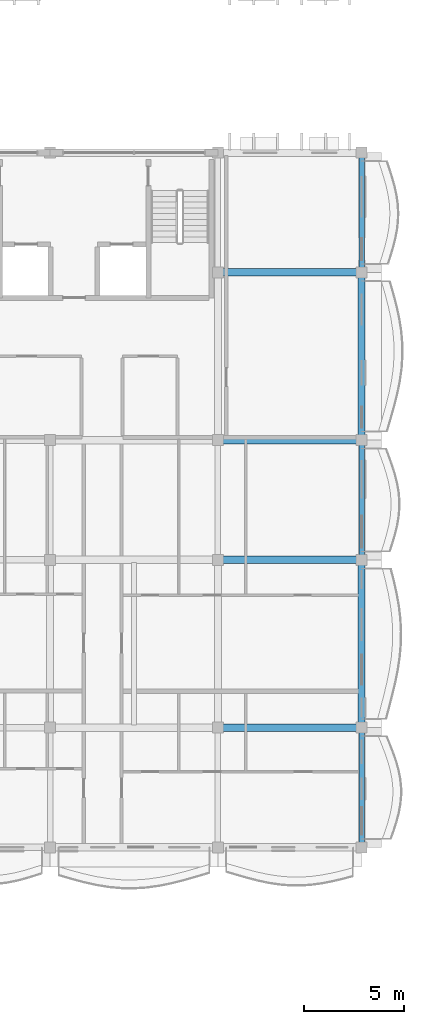
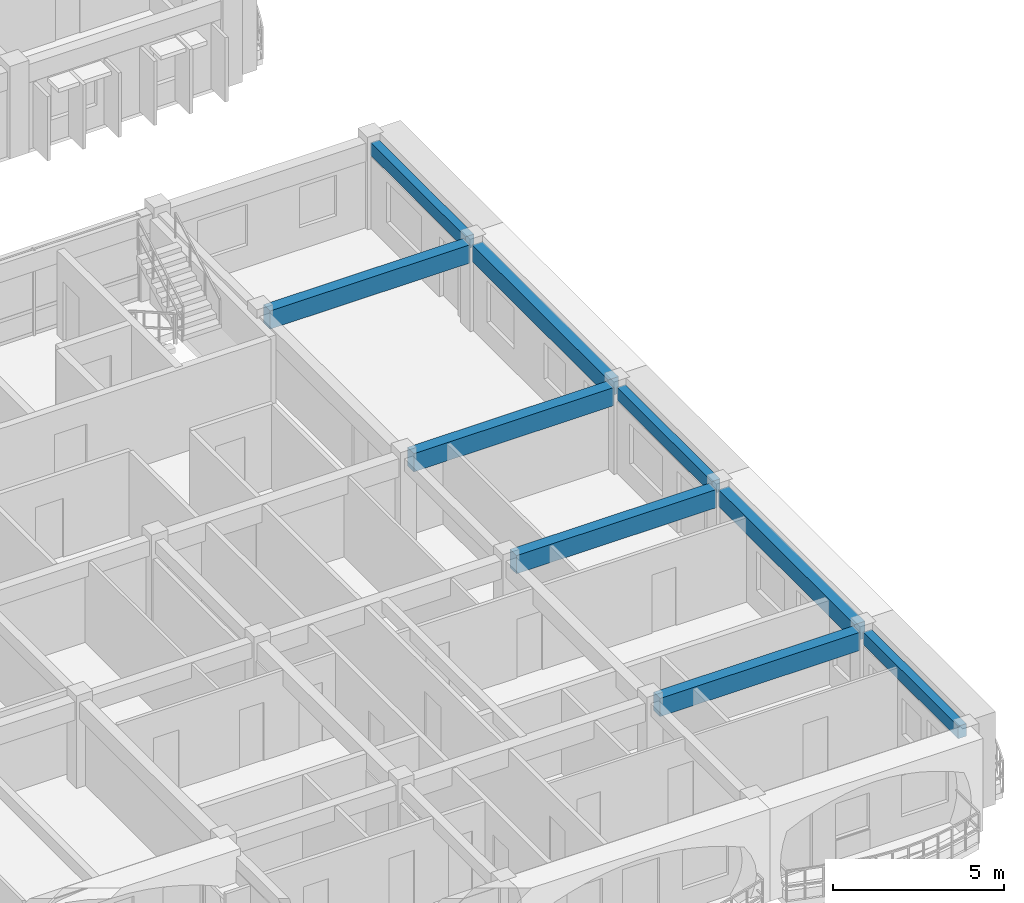
# One storey, part 16 of 79: 9 beams.
"""IFC4 building model written with IfcOpenShell, lengths in metres."""

from ifc_helpers import new_model, si_unit, direction, frame, origin, origin_2d, place, context, subcontext, project, spatial, rectangle, extrude, material, material_profile, profile_set, type_object, element, save


model = new_model("IFC4")

# Units and contexts
model_context = context("Model", 3, precision=1e-05, world=origin(), true_north=direction((0.0, 1.0)))
body_context = subcontext(model_context, "Body", "Model", "MODEL_VIEW")
ifc_project = project(units=[si_unit("LENGTHUNIT", "METRE"), si_unit("AREAUNIT", "SQUARE_METRE"), si_unit("VOLUMEUNIT", "CUBIC_METRE"), si_unit("PLANEANGLEUNIT", "RADIAN"), si_unit("MASSUNIT", "GRAM", prefix="KILO"), si_unit("THERMODYNAMICTEMPERATUREUNIT", "KELVIN")], contexts=[model_context])

# Site, building, storey
site_placement = place(None, origin())
site = spatial("IfcSite", under=ifc_project, at=site_placement, CompositionType="ELEMENT")
building_placement = place(site_placement, origin())
building = spatial("IfcBuilding", under=site, at=building_placement, Name="Thalorik Housing Commons", CompositionType="ELEMENT")
storey_placement = place(building_placement, frame((0.0, 0.0, 11.39990234375)))
storey = spatial("IfcBuildingStorey", under=building, at=storey_placement, Name="L03", CompositionType="ELEMENT", Elevation=11.39990234375)

# Beams
ifc_material = material(Name="Precast concrete C40/50", Category="concrete")
ifc_material_profile_1 = material_profile(ifc_material, rectangle(XDim=0.280029296875, YDim=0.449951171875, at=origin_2d()), Name="PC 280x450", Category="concrete")
ifc_profile_set_1 = profile_set([ifc_material_profile_1], Name="Precast concrete C40/50")
beam_type_1 = type_object("IfcBeamType", Name="STR-BM-PC280x450", PredefinedType="BEAM", material=ifc_profile_set_1)
for number, where, z_axis, x_axis, name in (
    (1, (174.0, 37.425048828125, 2.815185546875), (0.0, 1.0, 0.0), (-1.0, 0.0, 0.0), "L03 Beam B-450"),
    (2, (174.0, 51.824951171875, 2.815185546875), (0.0, 1.0, 0.0), (-1.0, 0.0, 0.0), "L03 Beam B-450"),
):
    element("IfcBeam", number, at=place(storey_placement, frame(where, z_axis=z_axis, x_axis=x_axis)), inside=storey, type_object=beam_type_1, Name=name, PredefinedType="BEAM", context=body_context, shape_type="SweptSolid", body=[
        extrude(rectangle(XDim=0.280029296875, YDim=0.449951171875, at=origin_2d()), origin(), (0.0, 0.0, 1.0), 5.550048828125),
    ])
beam_placement = place(storey_placement, frame((174.0, 66.22509765625, 2.815185546875), z_axis=(0.0, 1.0, 0.0), x_axis=(-1.0, 0.0, 0.0)))
element("IfcBeam", 3, at=beam_placement, inside=storey, type_object=beam_type_1, Name="L03 Beam B-450", PredefinedType="BEAM", context=body_context, shape_type="SweptSolid", body=[
    extrude(rectangle(XDim=0.280029296875, YDim=0.449951171875, at=origin_2d()), origin(), (0.0, 0.0, 1.0), 5.5498046875),
])
ifc_material_profile_2 = material_profile(ifc_material, rectangle(XDim=0.35009765625, YDim=0.60009765625, at=origin_2d()), Name="PC 350x600", Category="concrete")
ifc_profile_set_2 = profile_set([ifc_material_profile_2], Name="Precast concrete C40/50")
beam_type_2 = type_object("IfcBeamType", Name="STR-BM-PC350x600", PredefinedType="BEAM", material=ifc_profile_set_2)
for number, where, z_axis, x_axis, name in (
    (4, (174.0, 43.425048828125, 2.739990234375), (0.0, 1.0, 0.0), (-1.0, 0.0, 0.0), "L03 Beam B-600"),
    (5, (174.0, 57.824951171875, 2.739990234375), (0.0, 1.0, 0.0), (-1.0, 0.0, 0.0), "L03 Beam B-600"),
):
    element("IfcBeam", number, at=place(storey_placement, frame(where, z_axis=z_axis, x_axis=x_axis)), inside=storey, type_object=beam_type_2, Name=name, PredefinedType="BEAM", context=body_context, shape_type="SweptSolid", body=[
        extrude(rectangle(XDim=0.35009765625, YDim=0.60009765625, at=origin_2d()), origin(), (0.0, 0.0, 1.0), 7.949951171875),
    ])
ifc_material_profile_3 = material_profile(ifc_material, rectangle(XDim=0.3798828125, YDim=0.64990234375, at=origin_2d()), Name="PC 380x650", Category="concrete")
ifc_profile_set_3 = profile_set([ifc_material_profile_3], Name="Precast concrete C40/50")
beam_type_3 = type_object("IfcBeamType", Name="STR-BM-PC380x650", PredefinedType="BEAM", material=ifc_profile_set_3)
for number, where, z_axis, x_axis, name in (
    (6, (167.02490234375, 43.199951171875, 2.715087890625), (1.0, 0.0, 0.0), (0.0, 1.0, 0.0), "L03 Beam B-650"),
    (7, (167.02490234375, 51.60009765625, 2.715087890625), (1.0, 0.0, 0.0), (0.0, 1.0, 0.0), "L03 Beam B-650"),
    (8, (167.02490234375, 57.60009765625, 2.715087890625), (1.0, 0.0, 0.0), (0.0, 1.0, 0.0), "L03 Beam B-650"),
    (9, (167.02490234375, 66.0, 2.715087890625), (1.0, 0.0, 0.0), (0.0, 1.0, 0.0), "L03 Beam B-650"),
):
    element("IfcBeam", number, at=place(storey_placement, frame(where, z_axis=z_axis, x_axis=x_axis)), inside=storey, type_object=beam_type_3, Name=name, PredefinedType="BEAM", context=body_context, shape_type="SweptSolid", body=[
        extrude(rectangle(XDim=0.3798828125, YDim=0.64990234375, at=origin_2d()), origin(), (0.0, 0.0, 1.0), 6.75),
    ])

save(model, "model.ifc")
